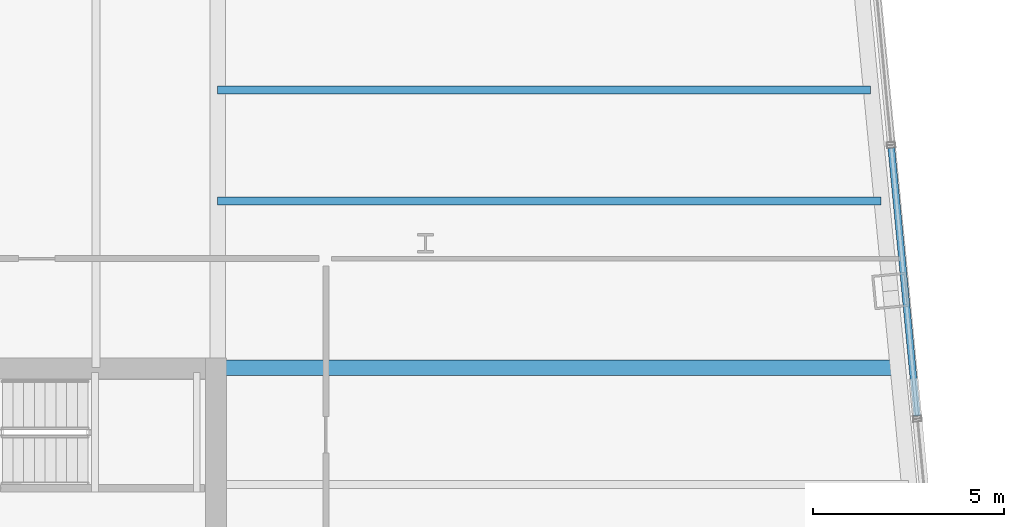
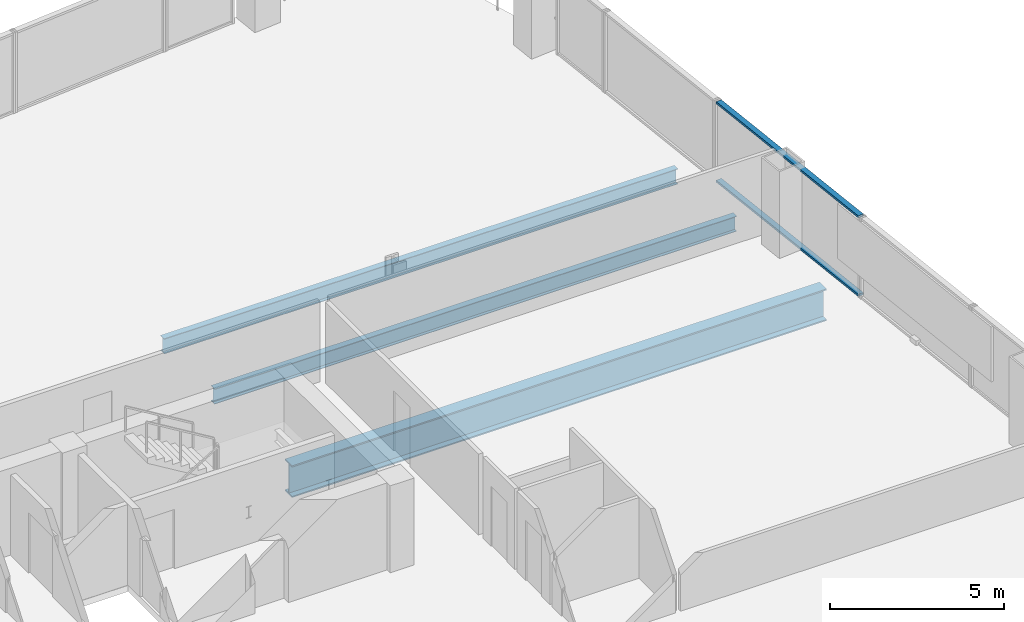
# One storey, part 18 of 26: 3 beams, 2 members, 1 element without a shape of its own.
"""IFC4 building model written with IfcOpenShell, lengths in metres."""

from ifc_helpers import new_model, si_unit, direction, frame, origin, origin_2d, place, context, subcontext, project, spatial, hollow_rectangle, i_section, extrude, material, layer, layer_set, material_profile, profile_set, type_object, element, aggregate, save


model = new_model("IFC4")

# Units and contexts
model_context = context("Model", 3, precision=1e-05, world=origin(), true_north=direction((0.0, 1.0)))
body_context = subcontext(model_context, "Body", "Model", "MODEL_VIEW")
ifc_project = project(units=[si_unit("LENGTHUNIT", "METRE"), si_unit("AREAUNIT", "SQUARE_METRE"), si_unit("VOLUMEUNIT", "CUBIC_METRE"), si_unit("PLANEANGLEUNIT", "RADIAN"), si_unit("MASSUNIT", "GRAM", prefix="KILO")], contexts=[model_context])

# Site, building, storey
site_placement = place(None, origin())
site = spatial("IfcSite", under=ifc_project, at=site_placement, CompositionType="ELEMENT")
building_placement = place(site_placement, origin())
building = spatial("IfcBuilding", under=site, at=building_placement, Name="Qhalaya Broadcast Tower", CompositionType="ELEMENT")
storey_placement = place(building_placement, frame((0.0, 0.0, 72.5)))
storey = spatial("IfcBuildingStorey", under=building, at=storey_placement, Name="L20", CompositionType="ELEMENT", Elevation=72.5)

# Beams
ifc_material_1 = material(Name="Structural Steel ASTM A992 Grade 50", Category="steel")
ifc_material_profile_1 = material_profile(ifc_material_1, i_section(OverallWidth=0.2099609375, OverallDepth=0.535888671875, WebThickness=0.010986328125, FlangeThickness=0.017333984375, at=origin_2d()), Name="W21X68")
ifc_profile_set_1 = profile_set([ifc_material_profile_1], Name="Structural Steel ASTM A992 Grade 50")
beam_type_1 = type_object("IfcBeamType", Name="Composite Floor Joist J02", PredefinedType="JOIST", material=ifc_profile_set_1)
beam_1_placement = place(storey_placement, frame((9.375, 14.300048828125, -0.488037109375), z_axis=(1.0, 0.0, 0.0), x_axis=(0.0, 1.0, 0.0)))
element("IfcBeam", 1, at=beam_1_placement, inside=storey, type_object=beam_type_1, Name="L20 J02 L20-JWE6E-1", PredefinedType="JOIST", context=body_context, shape_type="SweptSolid", body=[
    extrude(i_section(OverallWidth=0.2099609375, OverallDepth=0.535888671875, WebThickness=0.010986328125, FlangeThickness=0.017333984375, at=origin_2d()), origin(), (0.0, 0.0, 1.0), 17.3203125),
])
beam_2_placement = place(storey_placement, frame((9.375, 17.199951171875, -0.488037109375), z_axis=(1.0, 0.0, 0.0), x_axis=(0.0, 1.0, 0.0)))
element("IfcBeam", 2, at=beam_2_placement, inside=storey, type_object=beam_type_1, Name="L20 J02 L20-JWE7E-1", PredefinedType="JOIST", context=body_context, shape_type="SweptSolid", body=[
    extrude(i_section(OverallWidth=0.2099609375, OverallDepth=0.535888671875, WebThickness=0.010986328125, FlangeThickness=0.017333984375, at=origin_2d()), origin(), (0.0, 0.0, 1.0), 17.041015625),
])
ifc_material_profile_2 = material_profile(ifc_material_1, i_section(OverallWidth=0.404052734375, OverallDepth=1.117919921875, WebThickness=0.026123046875, FlangeThickness=0.044921875, at=origin_2d()), Name="W44X335")
ifc_profile_set_2 = profile_set([ifc_material_profile_2], Name="Structural Steel ASTM A992 Grade 50")
beam_type_2 = type_object("IfcBeamType", Name="Podium Long-Span Primary Girder PG1", PredefinedType="USERDEFINED", material=ifc_profile_set_2)
beam_3_placement = place(storey_placement, frame((9.375, 9.949951171875, -0.779052734375), z_axis=(1.0, 0.0, 0.0), x_axis=(0.0, 1.0, 0.0)))
element("IfcBeam", 3, at=beam_3_placement, inside=storey, type_object=beam_type_2, Name="L20 PG1 L20-PGYE4-1", ObjectType="GIRDER", PredefinedType="USERDEFINED", context=body_context, shape_type="SweptSolid", body=[
    extrude(i_section(OverallWidth=0.404052734375, OverallDepth=1.117919921875, WebThickness=0.026123046875, FlangeThickness=0.044921875, at=origin_2d()), origin(), (0.0, 0.0, 1.0), 17.7392578125),
])

# Curtain wall, members
ifc_material_2 = material(Name="Fired Architectural Terracotta", Category="masonry")
ifc_layer = layer(ifc_material_2, 0.219970703125, Name="Fired Architectural Terracotta")
ifc_layer_set = layer_set([ifc_layer], Name="Fired Architectural Terracotta")
curtain_wall_type = type_object("IfcCurtainWallType", Name="Block-Cap Unitised Terracotta Spandrel Wall CW-07", PredefinedType="NOTDEFINED", material=ifc_layer_set)
curtain_wall_placement = place(storey_placement, origin())
curtain_wall = element("IfcCurtainWall", 4, at=curtain_wall_placement, inside=storey, type_object=curtain_wall_type, Name="L20 Unitised Curtain Wall L20-CW-E5", PredefinedType="NOTDEFINED")
ifc_material_3 = material(Name="Anodised Aluminium 6063-T6", Category="aluminium")
ifc_material_profile_3 = material_profile(ifc_material_3, hollow_rectangle(XDim=0.074951171875, YDim=0.179931640625, WallThickness=0.00390625, at=origin_2d()), Name="ALU-TRN 75x180x4")
ifc_profile_set_3 = profile_set([ifc_material_profile_3], Name="Anodised Aluminium 6063-T6")
member_type = type_object("IfcMemberType", Name="Unitised Curtain-Wall Transom T01", PredefinedType="USERDEFINED", material=ifc_profile_set_3)
member_1_placement = place(storey_placement, frame((27.63720703125, 8.69140625, 0.03759765625), z_axis=(-0.095838119582, 0.995396933306, 0.0), x_axis=(0.0, 0.0, 1.0)))
member_1 = element("IfcMember", 5, at=member_1_placement, type_object=member_type, Name="CW-07 transom 1.1", ObjectType="TRANSOM", PredefinedType="USERDEFINED", context=body_context, shape_type="SweptSolid", body=[
    extrude(hollow_rectangle(XDim=0.074951171875, YDim=0.179931640625, WallThickness=0.00390625, at=origin_2d()), origin(), (0.0, 0.0, 1.0), 7.031005859375),
])
member_2_placement = place(storey_placement, frame((27.63720703125, 8.69140625, 2.79248046875), z_axis=(-0.095838119582, 0.995396933306, 0.0), x_axis=(0.0, 0.0, 1.0)))
member_2 = element("IfcMember", 6, at=member_2_placement, type_object=member_type, Name="CW-07 transom 1.2", ObjectType="TRANSOM", PredefinedType="USERDEFINED", context=body_context, shape_type="SweptSolid", body=[
    extrude(hollow_rectangle(XDim=0.074951171875, YDim=0.179931640625, WallThickness=0.00390625, at=origin_2d()), origin(), (0.0, 0.0, 1.0), 7.031005859375),
])
aggregate(curtain_wall, [member_1, member_2])

save(model, "model.ifc")
